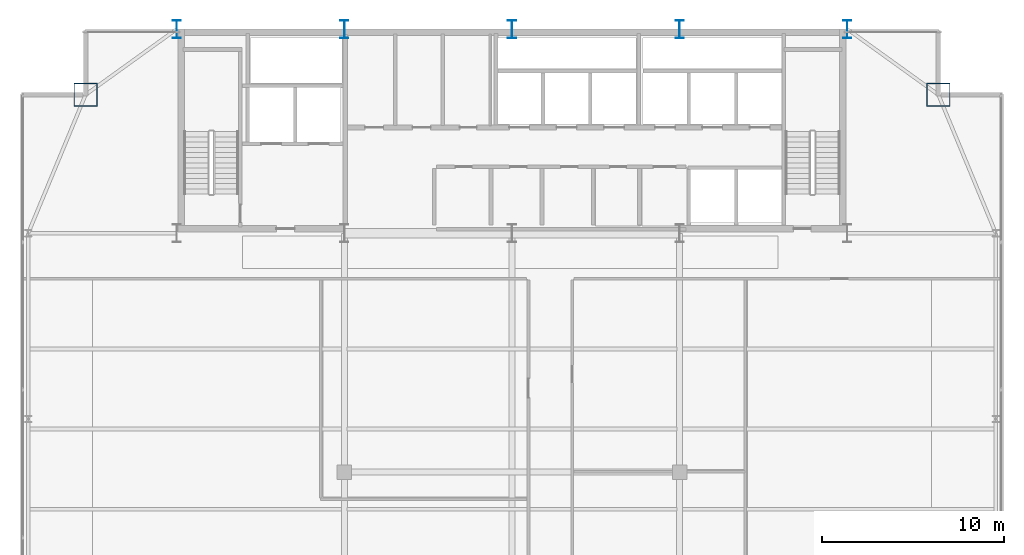
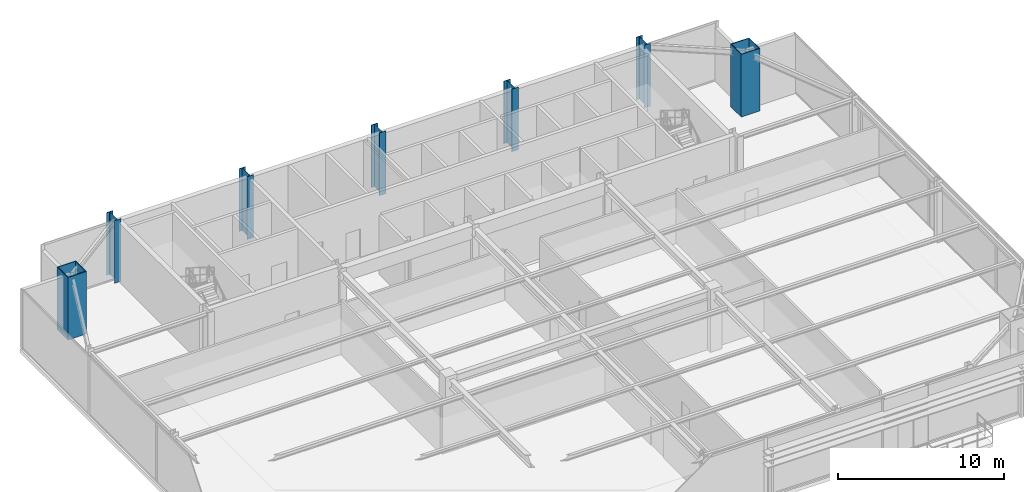
# One storey, part 3 of 25: 7 columns.
"""IFC4 building model written with IfcOpenShell, lengths in metres."""

from ifc_helpers import new_model, si_unit, direction, frame, origin, origin_2d, place, context, subcontext, project, spatial, hollow_rectangle, i_section, extrude, source, transform, mapped, material, material_profile, profile_set, type_object, type_shapes, element, save


model = new_model("IFC4")

# Units and contexts
model_context = context("Model", 3, precision=1e-05, world=origin(), true_north=direction((0.0, 1.0)))
body_context = subcontext(model_context, "Body", "Model", "MODEL_VIEW")
ifc_project = project(units=[si_unit("LENGTHUNIT", "METRE"), si_unit("AREAUNIT", "SQUARE_METRE"), si_unit("VOLUMEUNIT", "CUBIC_METRE"), si_unit("PLANEANGLEUNIT", "RADIAN"), si_unit("MASSUNIT", "GRAM", prefix="KILO")], contexts=[model_context])

# Site, building, storey
site_placement = place(None, origin())
site = spatial("IfcSite", under=ifc_project, at=site_placement, CompositionType="ELEMENT")
building_placement = place(site_placement, origin())
building = spatial("IfcBuilding", under=site, at=building_placement, Name="Varnel Quay Broadcast Tower", CompositionType="ELEMENT")
storey_placement = place(building_placement, frame((0.0, 0.0, 191.39990234375)))
storey = spatial("IfcBuildingStorey", under=building, at=storey_placement, Name="L47", CompositionType="ELEMENT", Elevation=191.39990234375)

# Columns
ifc_material = material(Name="Structural Steel CSA G40.21 350WT", Category="steel")
ifc_material_profile_1 = material_profile(ifc_material, i_section(OverallWidth=0.449951171875, OverallDepth=1.0, WebThickness=0.01611328125, FlangeThickness=0.030029296875, FilletRadius=0.01611328125, at=origin_2d()), Name="WWF1000X362")
ifc_profile_set_1 = profile_set([ifc_material_profile_1], Name="Structural Steel CSA G40.21 350WT")
column_type_1 = type_object("IfcColumnType", Name="Col_WWF1000X362", PredefinedType="COLUMN", material=ifc_profile_set_1)
shared_shape_1 = source(origin(), body_context, "Body", "SweptSolid", [
    extrude(i_section(OverallWidth=0.449951171875, OverallDepth=1.0, WebThickness=0.01611328125, FlangeThickness=0.030029296875, FilletRadius=0.01611328125, at=origin_2d()), origin(), (0.0, 0.0, 1.0), 4.60009765625),
])
type_shapes(column_type_1, [shared_shape_1])
for number, where, z_axis, x_axis, name in (
    (1, (15.60009765625, 46.800048828125, 0.0), (0.0, 0.0, 1.0), (1.0, 0.0, 0.0), "L47 Column CC-N1"),
    (2, (24.800048828125, 46.800048828125, 0.0), (0.0, 0.0, 1.0), (1.0, 0.0, 0.0), "L47 Column CC-N2"),
    (3, (34.0, 46.800048828125, 0.0), (0.0, 0.0, 1.0), (1.0, 0.0, 0.0), "L47 Column CC-N3"),
    (4, (43.199951171875, 46.800048828125, 0.0), (0.0, 0.0, 1.0), (1.0, 0.0, 0.0), "L47 Column CC-N4"),
    (5, (52.39990234375, 46.800048828125, 0.0), (0.0, 0.0, 1.0), (1.0, 0.0, 0.0), "L47 Column CC-N5"),
):
    element("IfcColumn", number, at=place(storey_placement, frame(where, z_axis=z_axis, x_axis=x_axis)), inside=storey, type_object=column_type_1, Name=name, PredefinedType="COLUMN", context=body_context, shape_type="MappedRepresentation", body=[
        mapped(shared_shape_1, transform((0.0, 0.0, 0.0), x_axis=(1.0, 0.0, 0.0), y_axis=(0.0, 1.0, 0.0), z_axis=(0.0, 0.0, 1.0), scale=1.0)),
    ])
ifc_material_profile_2 = material_profile(ifc_material, hollow_rectangle(XDim=1.300048828125, YDim=1.300048828125, WallThickness=0.050048828125, at=origin_2d()), Name="BOX1300X1300X50")
ifc_profile_set_2 = profile_set([ifc_material_profile_2], Name="Structural Steel CSA G40.21 350WT")
column_type_2 = type_object("IfcColumnType", Name="Col_BOX1300X1300X50", PredefinedType="COLUMN", material=ifc_profile_set_2)
shared_shape_2 = source(origin(), body_context, "Body", "SweptSolid", [
    extrude(hollow_rectangle(XDim=1.300048828125, YDim=1.300048828125, WallThickness=0.050048828125, at=origin_2d()), origin(), (0.0, 0.0, 1.0), 4.60009765625),
])
type_shapes(column_type_2, [shared_shape_2])
for number, where, z_axis, x_axis, name in (
    (6, (57.39990234375, 43.199951171875, 0.0), (0.0, 0.0, 1.0), (1.0, 0.0, 0.0), "L47 Column MC-NE"),
    (7, (10.60009765625, 43.199951171875, 0.0), (0.0, 0.0, 1.0), (1.0, 0.0, 0.0), "L47 Column MC-NW"),
):
    element("IfcColumn", number, at=place(storey_placement, frame(where, z_axis=z_axis, x_axis=x_axis)), inside=storey, type_object=column_type_2, Name=name, PredefinedType="COLUMN", context=body_context, shape_type="MappedRepresentation", body=[
        mapped(shared_shape_2, transform((0.0, 0.0, 0.0), x_axis=(1.0, 0.0, 0.0), y_axis=(0.0, 1.0, 0.0), z_axis=(0.0, 0.0, 1.0), scale=1.0)),
    ])

save(model, "model.ifc")
